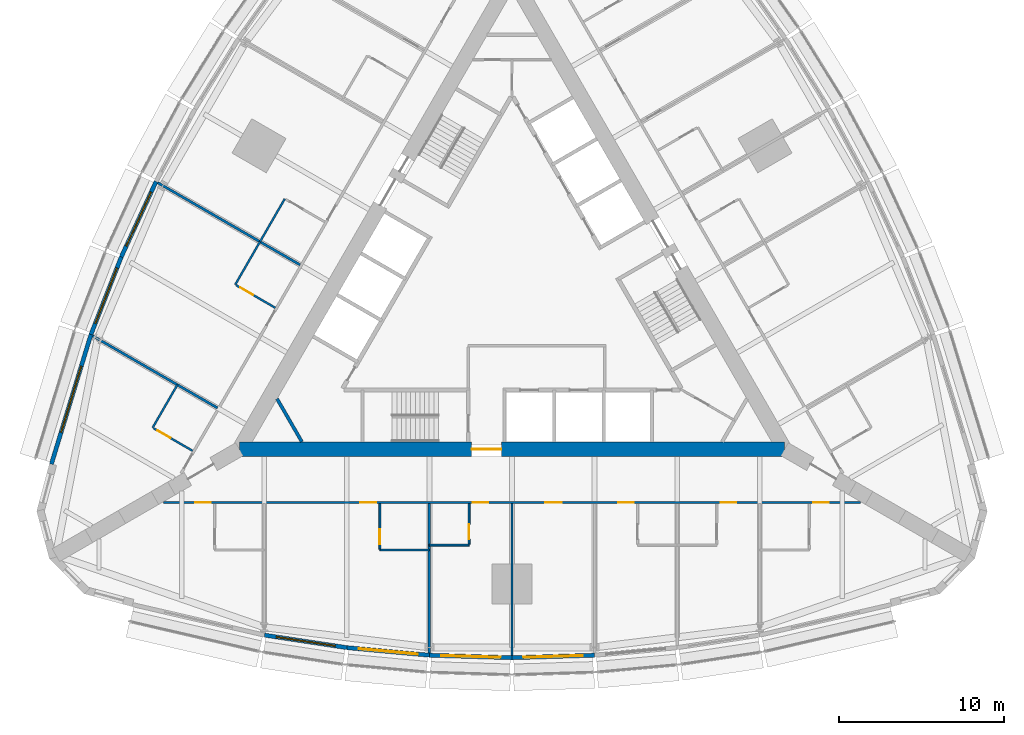
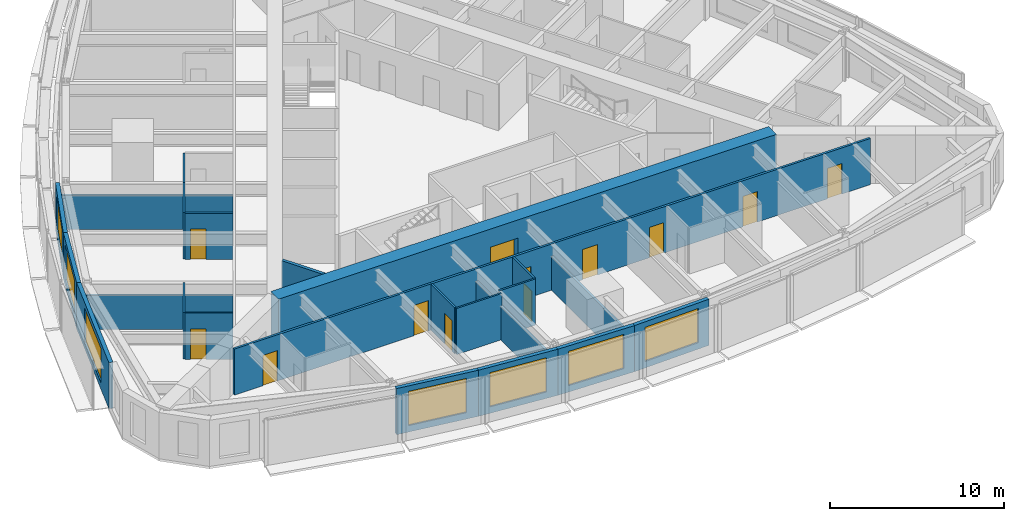
# One storey, part 8 of 14: 23 walls, 12 doors, 7 windows, 19 openings.
"""IFC4 building model written with IfcOpenShell, lengths in metres."""

from ifc_helpers import new_model, si_unit, direction, frame, frame_2d, origin, place, context, subcontext, project, spatial, rectangle, extrude, material, layer, layer_set, type_object, element, fill, save


model = new_model("IFC4")

# Units and contexts
model_context = context("Model", 3, precision=1e-05, world=origin(), true_north=direction((0.0, 1.0)))
body_context = subcontext(model_context, "Body", "Model", "MODEL_VIEW")
ifc_project = project(units=[si_unit("LENGTHUNIT", "METRE"), si_unit("AREAUNIT", "SQUARE_METRE"), si_unit("VOLUMEUNIT", "CUBIC_METRE"), si_unit("PLANEANGLEUNIT", "RADIAN"), si_unit("MASSUNIT", "GRAM", prefix="KILO")], contexts=[model_context])

# Site, building, storey
site_placement = place(None, origin())
site = spatial("IfcSite", under=ifc_project, at=site_placement, CompositionType="ELEMENT")
building_placement = place(site_placement, origin())
building = spatial("IfcBuilding", under=site, at=building_placement, Name="Trikona Tower", CompositionType="ELEMENT")
storey_placement = place(building_placement, frame((0.0, 0.0, 93.10009765625)))
storey = spatial("IfcBuildingStorey", under=building, at=storey_placement, Name="L24", CompositionType="ELEMENT", Elevation=93.10009765625)

# Wall
ifc_material_1 = material(Name="Metal stud and cement board", Category="gypsum")
ifc_layer_1 = layer(ifc_material_1, 0.1201171875)
ifc_layer_set_1 = layer_set([ifc_layer_1], Name="Bathroom wall 120")
wall_type_1 = type_object("IfcWallType", Name="Bathroom wall 120", PredefinedType="PLUMBINGWALL", material=ifc_layer_set_1)
wall_1_placement = place(storey_placement, frame((-8.0, -15.626220703125, 0.0), z_axis=(0.0, 0.0, 1.0), x_axis=(1.0, 0.0, 0.0)))
element("IfcWall", 1, at=wall_1_placement, inside=storey, type_object=wall_type_1, Name="Bathroom wall 2402", PredefinedType="PLUMBINGWALL", context=body_context, shape_type="SweptSolid", body=[
    extrude(rectangle(XDim=3.0, YDim=0.1201171875, at=frame_2d((1.5, 0.0))), origin(), (0.0, 0.0, 1.0), 3.23486328125),
])

# Wall, opening, door
wall_2_placement = place(storey_placement, frame((-8.0, -12.826416015625, 0.0), z_axis=(0.0, 0.0, 1.0), x_axis=(0.0, -1.0, 0.0)))
wall_2 = element("IfcWall", 2, at=wall_2_placement, inside=storey, type_object=wall_type_1, Name="Bathroom wall 2402", PredefinedType="PLUMBINGWALL", context=body_context, shape_type="SweptSolid", body=[
    extrude(rectangle(XDim=2.739990234375, YDim=0.1201171875, at=frame_2d((1.3701171875, 0.0))), origin(), (0.0, 0.0, 1.0), 3.23486328125),
])
opening_1_placement = place(wall_2_placement, frame((1.550048828125, 0.0, 0.0)))
opening_1 = element("IfcOpeningElement", 3, at=opening_1_placement, cuts=wall_2, Name="Opening D2", PredefinedType="OPENING", context=body_context, shape_type="SweptSolid", body=[
    extrude(rectangle(XDim=0.89990234375, YDim=2.1298828125, at=frame_2d((0.449951171875, 1.06494140625))), frame((0.0, 0.070068359375, 0.0), z_axis=(0.0, -1.0, 0.0), x_axis=(1.0, 0.0, 0.0)), (0.0, 0.0, 1.0), 0.14013671875),
])
ifc_material_2 = material(Name="Steel door frame with solid-core timber leaf", Category="steel")
door_type_1 = type_object("IfcDoorType", Name="Bathroom door 900x2130", OperationType="SLIDING_TO_LEFT", PredefinedType="DOOR", material=ifc_material_2)
door_1_placement = place(opening_1_placement, origin())
door_1 = element("IfcDoor", 4, at=door_1_placement, inside=storey, type_object=door_type_1, Name="Bathroom door 2402", OperationType="SLIDING_TO_LEFT", OverallHeight=2.1298828125, OverallWidth=0.89990234375, PredefinedType="DOOR", context=body_context, shape_type="SweptSolid", body=[
    extrude(rectangle(XDim=0.89990234375, YDim=2.1298828125, at=frame_2d((0.449951171875, 1.06494140625))), frame((0.0, 0.02490234375, 0.0), z_axis=(0.0, -1.0, 0.0), x_axis=(1.0, 0.0, 0.0)), (0.0, 0.0, 1.0), 0.050048828125),
])
fill(opening_1, door_1)

# Wall
wall_3_placement = place(storey_placement, frame((-5.0, -15.326416015625, 0.0), z_axis=(0.0, 0.0, 1.0), x_axis=(1.0, 0.0, 0.0)))
element("IfcWall", 5, at=wall_3_placement, inside=storey, type_object=wall_type_1, Name="Bathroom wall 2403", PredefinedType="PLUMBINGWALL", context=body_context, shape_type="SweptSolid", body=[
    extrude(rectangle(XDim=2.39990234375, YDim=0.1201171875, at=frame_2d((1.199951171875, 0.0))), origin(), (0.0, 0.0, 1.0), 3.23486328125),
])

# Wall, opening, door
wall_4_placement = place(storey_placement, frame((-2.60009765625, -12.826416015625, 0.0), z_axis=(0.0, 0.0, 1.0), x_axis=(0.0, -1.0, 0.0)))
wall_4 = element("IfcWall", 6, at=wall_4_placement, inside=storey, type_object=wall_type_1, Name="Bathroom wall 2403", PredefinedType="PLUMBINGWALL", context=body_context, shape_type="SweptSolid", body=[
    extrude(rectangle(XDim=2.43994140625, YDim=0.1201171875, at=frame_2d((1.219970703125, 0.0))), origin(), (0.0, 0.0, 1.0), 3.23486328125),
])
opening_2_placement = place(wall_4_placement, frame((1.25, 0.0, 0.0)))
opening_2 = element("IfcOpeningElement", 7, at=opening_2_placement, cuts=wall_4, Name="Opening D2", PredefinedType="OPENING", context=body_context, shape_type="SweptSolid", body=[
    extrude(rectangle(XDim=0.89990234375, YDim=2.1298828125, at=frame_2d((0.449951171875, 1.06494140625))), frame((0.0, 0.070068359375, 0.0), z_axis=(0.0, -1.0, 0.0), x_axis=(1.0, 0.0, 0.0)), (0.0, 0.0, 1.0), 0.14013671875),
])
door_2_placement = place(opening_2_placement, origin())
door_2 = element("IfcDoor", 8, at=door_2_placement, inside=storey, type_object=door_type_1, Name="Bathroom door 2403", OperationType="SLIDING_TO_LEFT", OverallHeight=2.1298828125, OverallWidth=0.89990234375, PredefinedType="DOOR", context=body_context, shape_type="SweptSolid", body=[
    extrude(rectangle(XDim=0.89990234375, YDim=2.1298828125, at=frame_2d((0.449951171875, 1.06494140625))), frame((0.0, 0.02490234375, 0.0), z_axis=(0.0, -1.0, 0.0), x_axis=(1.0, 0.0, 0.0)), (0.0, 0.0, 1.0), 0.050048828125),
])
fill(opening_2, door_2)

# Walls
for number, where, z_axis, x_axis, name in (
    (9, (-13.75341796875, 5.631103515625, 0.0), (0.0, 0.0, 1.0), (-0.499990139034, -0.866031096941, 0.0), "Bathroom wall 2414"),
    (10, (-15.25341796875, 3.032958984375, 0.0), (0.0, 0.0, 1.0), (-0.499990139034, -0.866031096941, 0.0), "Bathroom wall 2415"),
):
    element("IfcWall", number, at=place(storey_placement, frame(where, z_axis=z_axis, x_axis=x_axis)), inside=storey, type_object=wall_type_1, Name=name, PredefinedType="PLUMBINGWALL", context=body_context, shape_type="SweptSolid", body=[
        extrude(rectangle(XDim=3.0, YDim=0.1201171875, at=frame_2d((1.5, 0.0))), origin(), (0.0, 0.0, 1.0), 3.23486328125),
    ])

# Wall, opening, door
wall_5_placement = place(storey_placement, frame((-14.32861328125, -0.965087890625, 0.0), z_axis=(0.0, 0.0, 1.0), x_axis=(-0.866035715982, 0.499982138324, 0.0)))
wall_5 = element("IfcWall", 11, at=wall_5_placement, inside=storey, type_object=wall_type_1, Name="Bathroom wall 2415", PredefinedType="PLUMBINGWALL", context=body_context, shape_type="SweptSolid", body=[
    extrude(rectangle(XDim=2.73974609375, YDim=0.1201171875, at=frame_2d((1.369873046875, 0.0))), origin(), (0.0, 0.0, 1.0), 3.23486328125),
])
opening_3_placement = place(wall_5_placement, frame((1.550048828125, 0.0, 0.0)))
opening_3 = element("IfcOpeningElement", 12, at=opening_3_placement, cuts=wall_5, Name="Opening D2", PredefinedType="OPENING", context=body_context, shape_type="SweptSolid", body=[
    extrude(rectangle(XDim=0.89990234375, YDim=2.1298828125, at=frame_2d((0.449951171875, 1.06494140625))), frame((0.0, 0.070068359375, 0.0), z_axis=(0.0, -1.0, 0.0), x_axis=(1.0, 0.0, 0.0)), (0.0, 0.0, 1.0), 0.14013671875),
])
door_3_placement = place(opening_3_placement, origin())
door_3 = element("IfcDoor", 13, at=door_3_placement, inside=storey, type_object=door_type_1, Name="Bathroom door 2415", OperationType="SLIDING_TO_LEFT", OverallHeight=2.1298828125, OverallWidth=0.89990234375, PredefinedType="DOOR", context=body_context, shape_type="SweptSolid", body=[
    extrude(rectangle(XDim=0.89990234375, YDim=2.1298828125, at=frame_2d((0.449951171875, 1.06494140625))), frame((0.0, 0.02490234375, 0.0), z_axis=(0.0, -1.0, 0.0), x_axis=(1.0, 0.0, 0.0)), (0.0, 0.0, 1.0), 0.050048828125),
])
fill(opening_3, door_3)

# Wall
wall_6_placement = place(storey_placement, frame((-20.25341796875, -5.627197265625, 0.0), z_axis=(0.0, 0.0, 1.0), x_axis=(-0.499990139034, -0.866031096941, 0.0)))
element("IfcWall", 14, at=wall_6_placement, inside=storey, type_object=wall_type_1, Name="Bathroom wall 2416", PredefinedType="PLUMBINGWALL", context=body_context, shape_type="SweptSolid", body=[
    extrude(rectangle(XDim=3.0, YDim=0.1201171875, at=frame_2d((1.5, 0.0))), origin(), (0.0, 0.0, 1.0), 3.23486328125),
])

# Wall, opening, door
wall_7_placement = place(storey_placement, frame((-19.32861328125, -9.625244140625, 0.0), z_axis=(0.0, 0.0, 1.0), x_axis=(-0.866035715982, 0.499982138324, 0.0)))
wall_7 = element("IfcWall", 15, at=wall_7_placement, inside=storey, type_object=wall_type_1, Name="Bathroom wall 2416", PredefinedType="PLUMBINGWALL", context=body_context, shape_type="SweptSolid", body=[
    extrude(rectangle(XDim=2.73974609375, YDim=0.1201171875, at=frame_2d((1.369873046875, 0.0))), origin(), (0.0, 0.0, 1.0), 3.23486328125),
])
opening_4_placement = place(wall_7_placement, frame((1.550048828125, 0.0, 0.0)))
opening_4 = element("IfcOpeningElement", 16, at=opening_4_placement, cuts=wall_7, Name="Opening D2", PredefinedType="OPENING", context=body_context, shape_type="SweptSolid", body=[
    extrude(rectangle(XDim=0.89990234375, YDim=2.1298828125, at=frame_2d((0.449951171875, 1.06494140625))), frame((0.0, 0.070068359375, 0.0), z_axis=(0.0, -1.0, 0.0), x_axis=(1.0, 0.0, 0.0)), (0.0, 0.0, 1.0), 0.14013671875),
])
door_4_placement = place(opening_4_placement, origin())
door_4 = element("IfcDoor", 17, at=door_4_placement, inside=storey, type_object=door_type_1, Name="Bathroom door 2416", OperationType="SLIDING_TO_LEFT", OverallHeight=2.1298828125, OverallWidth=0.89990234375, PredefinedType="DOOR", context=body_context, shape_type="SweptSolid", body=[
    extrude(rectangle(XDim=0.89990234375, YDim=2.1298828125, at=frame_2d((0.449951171875, 1.06494140625))), frame((0.0, 0.02490234375, 0.0), z_axis=(0.0, -1.0, 0.0), x_axis=(1.0, 0.0, 0.0)), (0.0, 0.0, 1.0), 0.050048828125),
])
fill(opening_4, door_4)

ifc_material_3 = material(Name="Concrete f'c 10000 psi", Category="concrete")
ifc_layer_2 = layer(ifc_material_3, 0.89990234375)
ifc_layer_set_2 = layer_set([ifc_layer_2], Name="Core wall 900")
wall_type_2 = type_object("IfcWallType", Name="Core wall 900", PredefinedType="SHEAR", material=ifc_layer_set_2)
wall_8_placement = place(storey_placement, frame((-16.5, -9.5263671875, 0.0), z_axis=(0.0, 0.0, 1.0), x_axis=(1.0, 0.0, 0.0)))
wall_8 = element("IfcWall", 18, at=wall_8_placement, inside=storey, type_object=wall_type_2, Name="Core wall A", PredefinedType="SHEAR", context=body_context, shape_type="SweptSolid", body=[
    extrude(rectangle(XDim=33.0, YDim=0.89990234375, at=frame_2d((16.5, 0.0))), origin(), (0.0, 0.0, 1.0), 3.39990234375),
])
opening_5_placement = place(wall_8_placement, frame((14.050048828125, 0.0, 0.0)))
opening_5 = element("IfcOpeningElement", 19, at=opening_5_placement, cuts=wall_8, Name="Opening D6", PredefinedType="OPENING", context=body_context, shape_type="SweptSolid", body=[
    extrude(rectangle(XDim=1.800048828125, YDim=2.1298828125, at=frame_2d((0.89990234375, 1.06494140625))), frame((0.0, 0.4599609375, 0.0), z_axis=(0.0, -1.0, 0.0), x_axis=(1.0, 0.0, 0.0)), (0.0, 0.0, 1.0), 0.919921875),
])
ifc_material_4 = material(Name="Hollow metal door and frame", Category="steel")
door_type_2 = type_object("IfcDoorType", Name="Lobby door pair 1800x2130", OperationType="DOUBLE_DOOR_SINGLE_SWING", PredefinedType="DOOR", material=ifc_material_4)
door_5_placement = place(opening_5_placement, origin())
door_5 = element("IfcDoor", 20, at=door_5_placement, inside=storey, type_object=door_type_2, Name="Fire service lift lobby door", OperationType="DOUBLE_DOOR_SINGLE_SWING", OverallHeight=2.1298828125, OverallWidth=1.800048828125, PredefinedType="DOOR", context=body_context, shape_type="SweptSolid", body=[
    extrude(rectangle(XDim=1.800048828125, YDim=2.1298828125, at=frame_2d((0.89990234375, 1.06494140625))), frame((0.0, 0.02490234375, 0.0), z_axis=(0.0, -1.0, 0.0), x_axis=(1.0, 0.0, 0.0)), (0.0, 0.0, 1.0), 0.050048828125),
])
fill(opening_5, door_5)

# Wall, openings, doors
ifc_material_5 = material(Name="Metal stud and gypsum board, 1-hour", Category="gypsum")
ifc_layer_3 = layer(ifc_material_5, 0.14990234375)
ifc_layer_set_3 = layer_set([ifc_layer_3], Name="Corridor wall 150")
wall_type_3 = type_object("IfcWallType", Name="Corridor wall 150", PredefinedType="PARTITIONING", material=ifc_layer_set_3)
wall_9_placement = place(storey_placement, frame((-21.0859375, -12.751220703125, 0.0), z_axis=(0.0, 0.0, 1.0), x_axis=(1.0, 0.0, 0.0)))
wall_9 = element("IfcWall", 21, at=wall_9_placement, inside=storey, type_object=wall_type_3, Name="Corridor wall L24-1", PredefinedType="PARTITIONING", context=body_context, shape_type="SweptSolid", body=[
    extrude(rectangle(XDim=42.171875, YDim=0.14990234375, at=frame_2d((21.0859375, 0.0))), origin(), (0.0, 0.0, 1.0), 3.23486328125),
])
opening_6_placement = place(wall_9_placement, frame((1.910888671875, 0.0, 0.0)))
opening_6 = element("IfcOpeningElement", 22, at=opening_6_placement, cuts=wall_9, Name="Opening D1", PredefinedType="OPENING", context=body_context, shape_type="SweptSolid", body=[
    extrude(rectangle(XDim=0.949951171875, YDim=2.1298828125, at=frame_2d((0.47509765625, 1.06494140625))), frame((0.0, 0.0849609375, 0.0), z_axis=(0.0, -1.0, 0.0), x_axis=(1.0, 0.0, 0.0)), (0.0, 0.0, 1.0), 0.169921875),
])
opening_7_placement = place(wall_9_placement, frame((11.910888671875, 0.0, 0.0)))
opening_7 = element("IfcOpeningElement", 23, at=opening_7_placement, cuts=wall_9, Name="Opening D1", PredefinedType="OPENING", context=body_context, shape_type="SweptSolid", body=[
    extrude(rectangle(XDim=0.949951171875, YDim=2.1298828125, at=frame_2d((0.47509765625, 1.06494140625))), frame((0.0, 0.0849609375, 0.0), z_axis=(0.0, -1.0, 0.0), x_axis=(1.0, 0.0, 0.0)), (0.0, 0.0, 1.0), 0.169921875),
])
opening_8_placement = place(wall_9_placement, frame((18.7109375, 0.0, 0.0)))
opening_8 = element("IfcOpeningElement", 24, at=opening_8_placement, cuts=wall_9, Name="Opening D1", PredefinedType="OPENING", context=body_context, shape_type="SweptSolid", body=[
    extrude(rectangle(XDim=0.949951171875, YDim=2.1298828125, at=frame_2d((0.47509765625, 1.06494140625))), frame((0.0, 0.0849609375, 0.0), z_axis=(0.0, -1.0, 0.0), x_axis=(1.0, 0.0, 0.0)), (0.0, 0.0, 1.0), 0.169921875),
])
opening_9_placement = place(wall_9_placement, frame((23.0859375, 0.0, 0.0)))
opening_9 = element("IfcOpeningElement", 25, at=opening_9_placement, cuts=wall_9, Name="Opening D3", PredefinedType="OPENING", context=body_context, shape_type="SweptSolid", body=[
    extrude(rectangle(XDim=1.0, YDim=2.1298828125, at=frame_2d((0.5, 1.06494140625))), frame((0.0, 0.0849609375, 0.0), z_axis=(0.0, -1.0, 0.0), x_axis=(1.0, 0.0, 0.0)), (0.0, 0.0, 1.0), 0.169921875),
])
opening_10_placement = place(wall_9_placement, frame((27.510986328125, 0.0, 0.0)))
opening_10 = element("IfcOpeningElement", 26, at=opening_10_placement, cuts=wall_9, Name="Opening D1", PredefinedType="OPENING", context=body_context, shape_type="SweptSolid", body=[
    extrude(rectangle(XDim=0.949951171875, YDim=2.1298828125, at=frame_2d((0.47509765625, 1.06494140625))), frame((0.0, 0.0849609375, 0.0), z_axis=(0.0, -1.0, 0.0), x_axis=(1.0, 0.0, 0.0)), (0.0, 0.0, 1.0), 0.169921875),
])
opening_11_placement = place(wall_9_placement, frame((33.7109375, 0.0, 0.0)))
opening_11 = element("IfcOpeningElement", 27, at=opening_11_placement, cuts=wall_9, Name="Opening D1", PredefinedType="OPENING", context=body_context, shape_type="SweptSolid", body=[
    extrude(rectangle(XDim=0.949951171875, YDim=2.1298828125, at=frame_2d((0.47509765625, 1.06494140625))), frame((0.0, 0.0849609375, 0.0), z_axis=(0.0, -1.0, 0.0), x_axis=(1.0, 0.0, 0.0)), (0.0, 0.0, 1.0), 0.169921875),
])
opening_12_placement = place(wall_9_placement, frame((39.310791015625, 0.0, 0.0)))
opening_12 = element("IfcOpeningElement", 28, at=opening_12_placement, cuts=wall_9, Name="Opening D1", PredefinedType="OPENING", context=body_context, shape_type="SweptSolid", body=[
    extrude(rectangle(XDim=0.949951171875, YDim=2.1298828125, at=frame_2d((0.47509765625, 1.06494140625))), frame((0.0, 0.0849609375, 0.0), z_axis=(0.0, -1.0, 0.0), x_axis=(1.0, 0.0, 0.0)), (0.0, 0.0, 1.0), 0.169921875),
])
ifc_material_6 = material(Name="Steel door frame with solid-core timber leaf", Category="steel")
door_type_3 = type_object("IfcDoorType", Name="Guest room door 950x2130", OperationType="SINGLE_SWING_LEFT", PredefinedType="DOOR", material=ifc_material_6)
door_6_placement = place(opening_6_placement, origin())
door_6 = element("IfcDoor", 29, at=door_6_placement, inside=storey, type_object=door_type_3, Name="Room door 2401", OperationType="SINGLE_SWING_LEFT", OverallHeight=2.1298828125, OverallWidth=0.949951171875, PredefinedType="DOOR", context=body_context, shape_type="SweptSolid", body=[
    extrude(rectangle(XDim=0.949951171875, YDim=2.1298828125, at=frame_2d((0.47509765625, 1.06494140625))), frame((0.0, 0.02490234375, 0.0), z_axis=(0.0, -1.0, 0.0), x_axis=(1.0, 0.0, 0.0)), (0.0, 0.0, 1.0), 0.050048828125),
])
fill(opening_6, door_6)
door_7_placement = place(opening_7_placement, origin())
door_7 = element("IfcDoor", 30, at=door_7_placement, inside=storey, type_object=door_type_3, Name="Room door 2402", OperationType="SINGLE_SWING_RIGHT", OverallHeight=2.1298828125, OverallWidth=0.949951171875, PredefinedType="DOOR", context=body_context, shape_type="SweptSolid", body=[
    extrude(rectangle(XDim=0.949951171875, YDim=2.1298828125, at=frame_2d((0.47509765625, 1.06494140625))), frame((0.0, 0.02490234375, 0.0), z_axis=(0.0, -1.0, 0.0), x_axis=(1.0, 0.0, 0.0)), (0.0, 0.0, 1.0), 0.050048828125),
])
fill(opening_7, door_7)
door_8_placement = place(opening_8_placement, origin())
door_8 = element("IfcDoor", 31, at=door_8_placement, inside=storey, type_object=door_type_3, Name="Room door 2403", OperationType="SINGLE_SWING_LEFT", OverallHeight=2.1298828125, OverallWidth=0.949951171875, PredefinedType="DOOR", context=body_context, shape_type="SweptSolid", body=[
    extrude(rectangle(XDim=0.949951171875, YDim=2.1298828125, at=frame_2d((0.47509765625, 1.06494140625))), frame((0.0, 0.02490234375, 0.0), z_axis=(0.0, -1.0, 0.0), x_axis=(1.0, 0.0, 0.0)), (0.0, 0.0, 1.0), 0.050048828125),
])
fill(opening_8, door_8)
door_9_placement = place(opening_10_placement, origin())
door_9 = element("IfcDoor", 32, at=door_9_placement, inside=storey, type_object=door_type_3, Name="Room door 2404", OperationType="SINGLE_SWING_LEFT", OverallHeight=2.1298828125, OverallWidth=0.949951171875, PredefinedType="DOOR", context=body_context, shape_type="SweptSolid", body=[
    extrude(rectangle(XDim=0.949951171875, YDim=2.1298828125, at=frame_2d((0.47509765625, 1.06494140625))), frame((0.0, 0.02490234375, 0.0), z_axis=(0.0, -1.0, 0.0), x_axis=(1.0, 0.0, 0.0)), (0.0, 0.0, 1.0), 0.050048828125),
])
fill(opening_10, door_9)
door_10_placement = place(opening_11_placement, origin())
door_10 = element("IfcDoor", 33, at=door_10_placement, inside=storey, type_object=door_type_3, Name="Room door 2405", OperationType="SINGLE_SWING_RIGHT", OverallHeight=2.1298828125, OverallWidth=0.949951171875, PredefinedType="DOOR", context=body_context, shape_type="SweptSolid", body=[
    extrude(rectangle(XDim=0.949951171875, YDim=2.1298828125, at=frame_2d((0.47509765625, 1.06494140625))), frame((0.0, 0.02490234375, 0.0), z_axis=(0.0, -1.0, 0.0), x_axis=(1.0, 0.0, 0.0)), (0.0, 0.0, 1.0), 0.050048828125),
])
fill(opening_11, door_10)
door_11_placement = place(opening_12_placement, origin())
door_11 = element("IfcDoor", 34, at=door_11_placement, inside=storey, type_object=door_type_3, Name="Room door 2406", OperationType="SINGLE_SWING_RIGHT", OverallHeight=2.1298828125, OverallWidth=0.949951171875, PredefinedType="DOOR", context=body_context, shape_type="SweptSolid", body=[
    extrude(rectangle(XDim=0.949951171875, YDim=2.1298828125, at=frame_2d((0.47509765625, 1.06494140625))), frame((0.0, 0.02490234375, 0.0), z_axis=(0.0, -1.0, 0.0), x_axis=(1.0, 0.0, 0.0)), (0.0, 0.0, 1.0), 0.050048828125),
])
fill(opening_12, door_11)
ifc_material_7 = material(Name="Steel door frame with solid-core timber leaf", Category="steel")
door_type_4 = type_object("IfcDoorType", Name="Room door 1000x2130", OperationType="SINGLE_SWING_LEFT", PredefinedType="DOOR", material=ifc_material_7)
door_12_placement = place(opening_9_placement, origin())
door_12 = element("IfcDoor", 35, at=door_12_placement, inside=storey, type_object=door_type_4, Name="Door Housekeeping pantry", OperationType="SINGLE_SWING_RIGHT", OverallHeight=2.1298828125, OverallWidth=1.0, PredefinedType="DOOR", context=body_context, shape_type="SweptSolid", body=[
    extrude(rectangle(XDim=1.0, YDim=2.1298828125, at=frame_2d((0.5, 1.06494140625))), frame((0.0, 0.02490234375, 0.0), z_axis=(0.0, -1.0, 0.0), x_axis=(1.0, 0.0, 0.0)), (0.0, 0.0, 1.0), 0.050048828125),
])
fill(opening_9, door_12)

# Wall, opening, window
ifc_material_8 = material(Name="Insulated precast concrete spandrel panel", Category="concrete")
ifc_layer_4 = layer(ifc_material_8, 0.25)
ifc_layer_set_4 = layer_set([ifc_layer_4], Name="Inner skin wall 250")
wall_type_4 = type_object("IfcWallType", Name="Inner skin wall 250", PredefinedType="STANDARD", material=ifc_layer_set_4)
wall_10_placement = place(storey_placement, frame((-14.981201171875, -20.779296875, 0.0), z_axis=(0.0, 0.0, 1.0), x_axis=(0.988615403399, -0.150464561152, 0.0)))
wall_10 = element("IfcWall", 36, at=wall_10_placement, inside=storey, type_object=wall_type_4, Name="External wall L24-01", PredefinedType="STANDARD", context=body_context, shape_type="SweptSolid", body=[
    extrude(rectangle(XDim=5.0576171875, YDim=0.25, at=frame_2d((2.52880859375, 0.0))), origin(), (0.0, 0.0, 1.0), 3.23486328125),
])
opening_13_placement = place(wall_10_placement, frame((0.728759765625, 0.0, 0.449951171875)))
opening_13 = element("IfcOpeningElement", 37, at=opening_13_placement, cuts=wall_10, Name="Opening W3624", PredefinedType="OPENING", context=body_context, shape_type="SweptSolid", body=[
    extrude(rectangle(XDim=3.60009765625, YDim=2.39990234375, at=frame_2d((1.800048828125, 1.199951171875))), frame((0.0, 0.135009765625, 0.0), z_axis=(0.0, -1.0, 0.0), x_axis=(1.0, 0.0, 0.0)), (0.0, 0.0, 1.0), 0.27001953125),
])
ifc_material_9 = material(Name="Aluminium-framed double glazing", Category="aluminium")
window_type_1 = type_object("IfcWindowType", Name="Window 3600x2400", PartitioningType="SINGLE_PANEL", PredefinedType="WINDOW", material=ifc_material_9)
window_1_placement = place(opening_13_placement, origin())
window_1 = element("IfcWindow", 38, at=window_1_placement, inside=storey, type_object=window_type_1, Name="Window 2402", OverallHeight=2.39990234375, OverallWidth=3.60009765625, PartitioningType="SINGLE_PANEL", PredefinedType="WINDOW", context=body_context, shape_type="SweptSolid", body=[
    extrude(rectangle(XDim=3.60009765625, YDim=2.39990234375, at=frame_2d((1.800048828125, 1.199951171875))), frame((0.0, 0.030029296875, 0.0), z_axis=(0.0, -1.0, 0.0), x_axis=(1.0, 0.0, 0.0)), (0.0, 0.0, 1.0), 0.06005859375),
])
fill(opening_13, window_1)

wall_11_placement = place(storey_placement, frame((-9.988525390625, -21.539306640625, 0.0), z_axis=(0.0, 0.0, 1.0), x_axis=(0.995857256774, -0.090930325692, 0.0)))
wall_11 = element("IfcWall", 39, at=wall_11_placement, inside=storey, type_object=wall_type_4, Name="External wall L24-02", PredefinedType="STANDARD", context=body_context, shape_type="SweptSolid", body=[
    extrude(rectangle(XDim=5.020751953125, YDim=0.25, at=frame_2d((2.51025390625, 0.0))), origin(), (0.0, 0.0, 1.0), 3.23486328125),
])
opening_14_placement = place(wall_11_placement, frame((0.71044921875, 0.0, 0.449951171875)))
opening_14 = element("IfcOpeningElement", 40, at=opening_14_placement, cuts=wall_11, Name="Opening W3624", PredefinedType="OPENING", context=body_context, shape_type="SweptSolid", body=[
    extrude(rectangle(XDim=3.60009765625, YDim=2.39990234375, at=frame_2d((1.800048828125, 1.199951171875))), frame((0.0, 0.135009765625, 0.0), z_axis=(0.0, -1.0, 0.0), x_axis=(1.0, 0.0, 0.0)), (0.0, 0.0, 1.0), 0.27001953125),
])
window_2_placement = place(opening_14_placement, origin())
window_2 = element("IfcWindow", 41, at=window_2_placement, inside=storey, type_object=window_type_1, Name="Window 2402", OverallHeight=2.39990234375, OverallWidth=3.60009765625, PartitioningType="SINGLE_PANEL", PredefinedType="WINDOW", context=body_context, shape_type="SweptSolid", body=[
    extrude(rectangle(XDim=3.60009765625, YDim=2.39990234375, at=frame_2d((1.800048828125, 1.199951171875))), frame((0.0, 0.030029296875, 0.0), z_axis=(0.0, -1.0, 0.0), x_axis=(1.0, 0.0, 0.0)), (0.0, 0.0, 1.0), 0.06005859375),
])
fill(opening_14, window_2)

wall_12_placement = place(storey_placement, frame((-4.99609375, -21.99560546875, 0.0), z_axis=(0.0, 0.0, 1.0), x_axis=(0.999537635046, -0.030405856769, 0.0)))
wall_12 = element("IfcWall", 42, at=wall_12_placement, inside=storey, type_object=wall_type_4, Name="External wall L24-03", PredefinedType="STANDARD", context=body_context, shape_type="SweptSolid", body=[
    extrude(rectangle(XDim=5.002197265625, YDim=0.25, at=frame_2d((2.5009765625, 0.0))), origin(), (0.0, 0.0, 1.0), 3.23486328125),
])
opening_15_placement = place(wall_12_placement, frame((0.701171875, 0.0, 0.449951171875)))
opening_15 = element("IfcOpeningElement", 43, at=opening_15_placement, cuts=wall_12, Name="Opening W3624", PredefinedType="OPENING", context=body_context, shape_type="SweptSolid", body=[
    extrude(rectangle(XDim=3.60009765625, YDim=2.39990234375, at=frame_2d((1.800048828125, 1.199951171875))), frame((0.0, 0.135009765625, 0.0), z_axis=(0.0, -1.0, 0.0), x_axis=(1.0, 0.0, 0.0)), (0.0, 0.0, 1.0), 0.27001953125),
])
window_3_placement = place(opening_15_placement, origin())
window_3 = element("IfcWindow", 44, at=window_3_placement, inside=storey, type_object=window_type_1, Name="Window 2403", OverallHeight=2.39990234375, OverallWidth=3.60009765625, PartitioningType="SINGLE_PANEL", PredefinedType="WINDOW", context=body_context, shape_type="SweptSolid", body=[
    extrude(rectangle(XDim=3.60009765625, YDim=2.39990234375, at=frame_2d((1.800048828125, 1.199951171875))), frame((0.0, 0.030029296875, 0.0), z_axis=(0.0, -1.0, 0.0), x_axis=(1.0, 0.0, 0.0)), (0.0, 0.0, 1.0), 0.06005859375),
])
fill(opening_15, window_3)

wall_13_placement = place(storey_placement, frame((-0.00390625, -22.147705078125, 0.0), z_axis=(0.0, 0.0, 1.0), x_axis=(0.999537635046, 0.030405856769, 0.0)))
wall_13 = element("IfcWall", 45, at=wall_13_placement, inside=storey, type_object=wall_type_4, Name="External wall L24-04", PredefinedType="STANDARD", context=body_context, shape_type="SweptSolid", body=[
    extrude(rectangle(XDim=5.002197265625, YDim=0.25, at=frame_2d((2.5009765625, 0.0))), origin(), (0.0, 0.0, 1.0), 3.23486328125),
])
opening_16_placement = place(wall_13_placement, frame((0.701171875, 0.0, 0.449951171875)))
opening_16 = element("IfcOpeningElement", 46, at=opening_16_placement, cuts=wall_13, Name="Opening W3624", PredefinedType="OPENING", context=body_context, shape_type="SweptSolid", body=[
    extrude(rectangle(XDim=3.60009765625, YDim=2.39990234375, at=frame_2d((1.800048828125, 1.199951171875))), frame((0.0, 0.135009765625, 0.0), z_axis=(0.0, -1.0, 0.0), x_axis=(1.0, 0.0, 0.0)), (0.0, 0.0, 1.0), 0.27001953125),
])
window_4_placement = place(opening_16_placement, origin())
window_4 = element("IfcWindow", 47, at=window_4_placement, inside=storey, type_object=window_type_1, Name="Window L24-HKP", OverallHeight=2.39990234375, OverallWidth=3.60009765625, PartitioningType="SINGLE_PANEL", PredefinedType="WINDOW", context=body_context, shape_type="SweptSolid", body=[
    extrude(rectangle(XDim=3.60009765625, YDim=2.39990234375, at=frame_2d((1.800048828125, 1.199951171875))), frame((0.0, 0.030029296875, 0.0), z_axis=(0.0, -1.0, 0.0), x_axis=(1.0, 0.0, 0.0)), (0.0, 0.0, 1.0), 0.06005859375),
])
fill(opening_16, window_4)

wall_14_placement = place(storey_placement, frame((-21.543212890625, 6.677734375, 0.0), z_axis=(0.0, 0.0, 1.0), x_axis=(-0.419203100754, -0.907892482796, 0.0)))
wall_14 = element("IfcWall", 48, at=wall_14_placement, inside=storey, type_object=wall_type_4, Name="External wall L24-29", PredefinedType="STANDARD", context=body_context, shape_type="SweptSolid", body=[
    extrude(rectangle(XDim=5.020751953125, YDim=0.25, at=frame_2d((2.51025390625, 0.0))), origin(), (0.0, 0.0, 1.0), 3.23486328125),
])
opening_17_placement = place(wall_14_placement, frame((0.71044921875, 0.0, 0.449951171875)))
opening_17 = element("IfcOpeningElement", 49, at=opening_17_placement, cuts=wall_14, Name="Opening W3624", PredefinedType="OPENING", context=body_context, shape_type="SweptSolid", body=[
    extrude(rectangle(XDim=3.60009765625, YDim=2.39990234375, at=frame_2d((1.800048828125, 1.199951171875))), frame((0.0, 0.135009765625, 0.0), z_axis=(0.0, -1.0, 0.0), x_axis=(1.0, 0.0, 0.0)), (0.0, 0.0, 1.0), 0.27001953125),
])
window_5_placement = place(opening_17_placement, origin())
window_5 = element("IfcWindow", 50, at=window_5_placement, inside=storey, type_object=window_type_1, Name="Window 2415", OverallHeight=2.39990234375, OverallWidth=3.60009765625, PartitioningType="SINGLE_PANEL", PredefinedType="WINDOW", context=body_context, shape_type="SweptSolid", body=[
    extrude(rectangle(XDim=3.60009765625, YDim=2.39990234375, at=frame_2d((1.800048828125, 1.199951171875))), frame((0.0, 0.030029296875, 0.0), z_axis=(0.0, -1.0, 0.0), x_axis=(1.0, 0.0, 0.0)), (0.0, 0.0, 1.0), 0.06005859375),
])
fill(opening_17, window_5)

wall_15_placement = place(storey_placement, frame((-23.64501953125, 2.126220703125, 0.0), z_axis=(0.0, 0.0, 1.0), x_axis=(-0.364013463868, -0.931393685894, 0.0)))
wall_15 = element("IfcWall", 51, at=wall_15_placement, inside=storey, type_object=wall_type_4, Name="External wall L24-30", PredefinedType="STANDARD", context=body_context, shape_type="SweptSolid", body=[
    extrude(rectangle(XDim=5.0576171875, YDim=0.25, at=frame_2d((2.52880859375, 0.0))), origin(), (0.0, 0.0, 1.0), 3.23486328125),
])
opening_18_placement = place(wall_15_placement, frame((0.728759765625, 0.0, 0.449951171875)))
opening_18 = element("IfcOpeningElement", 52, at=opening_18_placement, cuts=wall_15, Name="Opening W3624", PredefinedType="OPENING", context=body_context, shape_type="SweptSolid", body=[
    extrude(rectangle(XDim=3.60009765625, YDim=2.39990234375, at=frame_2d((1.800048828125, 1.199951171875))), frame((0.0, 0.135009765625, 0.0), z_axis=(0.0, -1.0, 0.0), x_axis=(1.0, 0.0, 0.0)), (0.0, 0.0, 1.0), 0.27001953125),
])
window_6_placement = place(opening_18_placement, origin())
window_6 = element("IfcWindow", 53, at=window_6_placement, inside=storey, type_object=window_type_1, Name="Window 2415", OverallHeight=2.39990234375, OverallWidth=3.60009765625, PartitioningType="SINGLE_PANEL", PredefinedType="WINDOW", context=body_context, shape_type="SweptSolid", body=[
    extrude(rectangle(XDim=3.60009765625, YDim=2.39990234375, at=frame_2d((1.800048828125, 1.199951171875))), frame((0.0, 0.030029296875, 0.0), z_axis=(0.0, -1.0, 0.0), x_axis=(1.0, 0.0, 0.0)), (0.0, 0.0, 1.0), 0.06005859375),
])
fill(opening_18, window_6)

wall_16_placement = place(storey_placement, frame((-25.48291015625, -2.575439453125, 0.0), z_axis=(0.0, 0.0, 1.0), x_axis=(-0.2919790669, -0.956424709265, 0.0)))
wall_16 = element("IfcWall", 54, at=wall_16_placement, inside=storey, type_object=wall_type_4, Name="External wall L24-31", PredefinedType="STANDARD", context=body_context, shape_type="SweptSolid", body=[
    extrude(rectangle(XDim=8.211181640625, YDim=0.25, at=frame_2d((4.10546875, 0.0))), origin(), (0.0, 0.0, 1.0), 3.23486328125),
])
opening_19_placement = place(wall_16_placement, frame((2.005615234375, 0.0, 0.449951171875)))
opening_19 = element("IfcOpeningElement", 55, at=opening_19_placement, cuts=wall_16, Name="Opening W4224", PredefinedType="OPENING", context=body_context, shape_type="SweptSolid", body=[
    extrude(rectangle(XDim=4.199951171875, YDim=2.39990234375, at=frame_2d((2.10009765625, 1.199951171875))), frame((0.0, 0.135009765625, 0.0), z_axis=(0.0, -1.0, 0.0), x_axis=(1.0, 0.0, 0.0)), (0.0, 0.0, 1.0), 0.27001953125),
])
ifc_material_10 = material(Name="Aluminium-framed double glazing", Category="aluminium")
window_type_2 = type_object("IfcWindowType", Name="Window 4200x2400", PartitioningType="SINGLE_PANEL", PredefinedType="WINDOW", material=ifc_material_10)
window_7_placement = place(opening_19_placement, origin())
window_7 = element("IfcWindow", 56, at=window_7_placement, inside=storey, type_object=window_type_2, Name="Window 2416", OverallHeight=2.39990234375, OverallWidth=4.199951171875, PartitioningType="SINGLE_PANEL", PredefinedType="WINDOW", context=body_context, shape_type="SweptSolid", body=[
    extrude(rectangle(XDim=4.199951171875, YDim=2.39990234375, at=frame_2d((2.10009765625, 1.199951171875))), frame((0.0, 0.030029296875, 0.0), z_axis=(0.0, -1.0, 0.0), x_axis=(1.0, 0.0, 0.0)), (0.0, 0.0, 1.0), 0.06005859375),
])
fill(opening_19, window_7)

# Walls
ifc_material_11 = material(Name="Metal stud and gypsum board, 1-hour acoustic", Category="gypsum")
ifc_layer_5 = layer(ifc_material_11, 0.14990234375)
ifc_layer_set_5 = layer_set([ifc_layer_5], Name="Party wall 150")
wall_type_5 = type_object("IfcWallType", Name="Party wall 150", PredefinedType="PARTITIONING", material=ifc_layer_set_5)
wall_17_placement = place(storey_placement, frame((-5.0, -12.826416015625, 0.0), z_axis=(0.0, 0.0, 1.0), x_axis=(0.0, -1.0, 0.0)))
element("IfcWall", 57, at=wall_17_placement, inside=storey, type_object=wall_type_5, Name="Partition L24 F1 u-5", PredefinedType="PARTITIONING", context=body_context, shape_type="SweptSolid", body=[
    extrude(rectangle(XDim=9.04296875, YDim=0.14990234375, at=frame_2d((4.521484375, 0.0))), origin(), (0.0, 0.0, 1.0), 2.38916015625),
])
wall_18_placement = place(storey_placement, frame((0.0, -12.826416015625, 0.0), z_axis=(0.0, 0.0, 1.0), x_axis=(0.0, -1.0, 0.0)))
element("IfcWall", 58, at=wall_18_placement, inside=storey, type_object=wall_type_5, Name="Partition L24 F1 u-1.03538e-30", PredefinedType="PARTITIONING", context=body_context, shape_type="SweptSolid", body=[
    extrude(rectangle(XDim=9.196044921875, YDim=0.14990234375, at=frame_2d((4.59814453125, 0.0))), origin(), (0.0, 0.0, 1.0), 2.38916015625),
])
wall_19_placement = place(storey_placement, frame((-12.82861328125, 1.633056640625, 0.0), z_axis=(0.0, 0.0, 1.0), x_axis=(-0.866026934769, 0.499997348248, 0.0)))
element("IfcWall", 59, at=wall_19_placement, inside=storey, type_object=wall_type_5, Name="Partition L24 F3 u5", PredefinedType="PARTITIONING", context=body_context, shape_type="SweptSolid", body=[
    extrude(rectangle(XDim=9.94287109375, YDim=0.14990234375, at=frame_2d((4.971435546875, 0.0))), origin(), (0.0, 0.0, 1.0), 2.38916015625),
])
wall_20_placement = place(storey_placement, frame((-17.82861328125, -7.027099609375, 0.0), z_axis=(0.0, 0.0, 1.0), x_axis=(-0.866032659912, 0.499987431809, 0.0)))
element("IfcWall", 60, at=wall_20_placement, inside=storey, type_object=wall_type_5, Name="Partition L24 F3 u15", PredefinedType="PARTITIONING", context=body_context, shape_type="SweptSolid", body=[
    extrude(rectangle(XDim=8.719970703125, YDim=0.14990234375, at=frame_2d((4.35986328125, 0.0))), origin(), (0.0, 0.0, 1.0), 2.38916015625),
])
ifc_material_12 = material(Name="Concrete f'c 8000 psi", Category="concrete")
ifc_layer_6 = layer(ifc_material_12, 0.199951171875)
ifc_layer_set_6 = layer_set([ifc_layer_6], Name="Shaft wall 200")
wall_type_6 = type_object("IfcWallType", Name="Shaft wall 200", PredefinedType="SOLIDWALL", material=ifc_layer_set_6)
wall_21_placement = place(storey_placement, frame((-12.718505859375, -9.076416015625, 0.0), z_axis=(0.0, 0.0, 1.0), x_axis=(-0.499952404951, 0.866052881055, 0.0)))
element("IfcWall", 61, at=wall_21_placement, inside=storey, type_object=wall_type_6, Name="Riser wall L24-RS3", PredefinedType="SOLIDWALL", context=body_context, shape_type="SweptSolid", body=[
    extrude(rectangle(XDim=3.002197265625, YDim=0.199951171875, at=frame_2d((1.5009765625, 0.0))), origin(), (0.0, 0.0, 1.0), 3.23486328125),
])

save(model, "model.ifc")
